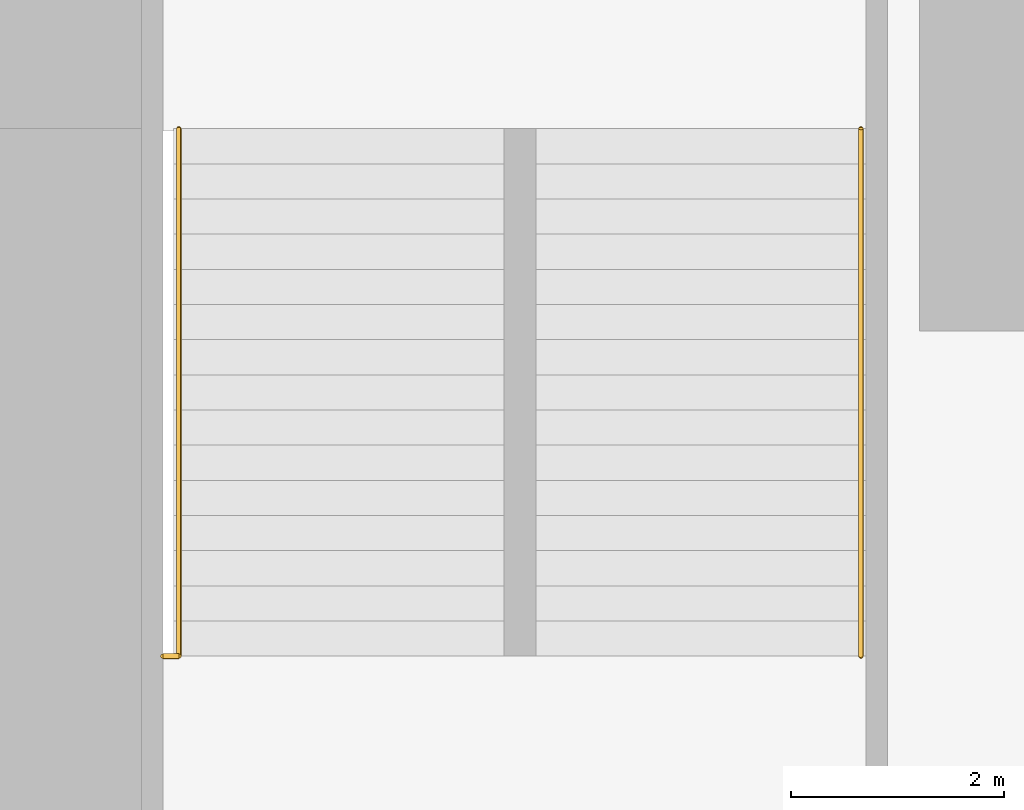
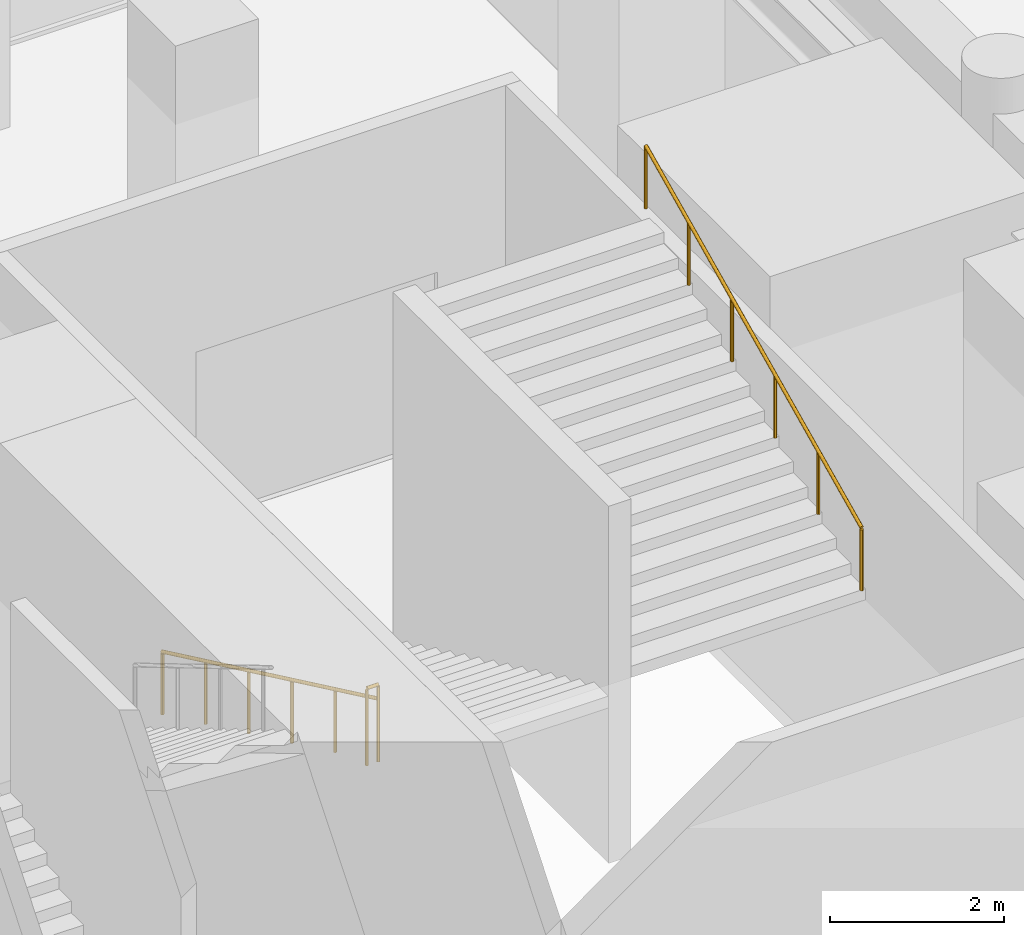
# One storey, part 22 of 23: 3 railings.
"""IFC4 building model written with IfcOpenShell, lengths in metres."""

import ifcopenshell
import ifcopenshell.guid

model = None  # the IFC model being written
_history = None  # IfcOwnerHistory: only IFC2X3 demands one
_inside = {}  # id of a spatial element -> (the spatial element, [elements in it])
_under = {}  # id of a project, library or spatial element -> (it, [spatial elements below it])
_declared = {}  # id of a project -> (the project, [libraries it declares])
_typed = {}  # id of a type object -> (the type object, [elements of that type])
_made_of = {}  # id of a material, layer set ... -> (it, [elements and type objects made of it])


def new_model(schema):
    """Start an empty IFC model of exactly this schema.

    Asked for "IFC4X3", IfcOpenShell would pick the latest addendum, in which some entities
    have other attributes; the version numbers below select the first issue.
    IFC2X3 requires an IfcOwnerHistory on every rooted entity: one is made here for all.
    """
    global model, _history
    if schema == "IFC4X3":
        model = ifcopenshell.file(schema_version=(4, 3, 0, 0))
    else:
        model = ifcopenshell.file(schema=schema)
    _inside.clear()
    _under.clear()
    _declared.clear()
    _typed.clear()
    _made_of.clear()
    _history = None
    if model.schema == "IFC2X3":
        org = make("IfcOrganization", Name="unknown")
        user = make(
            "IfcPersonAndOrganization",
            ThePerson=make("IfcPerson", FamilyName="unknown"),
            TheOrganization=org,
        )
        app = make(
            "IfcApplication",
            ApplicationDeveloper=org,
            Version="unknown",
            ApplicationFullName="unknown",
            ApplicationIdentifier="unknown",
        )
        _history = make(
            "IfcOwnerHistory",
            OwningUser=user,
            OwningApplication=app,
            ChangeAction="ADDED",
            CreationDate=0,
        )
    return model


def make(cls, **values):
    """One entity of the class cls with the attributes given. An attribute that is None is left unset."""
    return model.create_entity(
        cls, **{name: value for name, value in values.items() if value is not None}
    )


def rooted(cls, **values):
    """An entity with a GlobalId (a new one), such as an element, a storey or a relation."""
    return make(cls, GlobalId=ifcopenshell.guid.new(), OwnerHistory=_history, **values)


def si_unit(unit_type, name, prefix=None):
    """IfcSIUnit, for example si_unit("LENGTHUNIT", "METRE", prefix="MILLI")."""
    return make("IfcSIUnit", UnitType=unit_type, Prefix=prefix, Name=name)


def assignment(units):
    """IfcUnitAssignment: the units of a project."""
    return None if units is None else make("IfcUnitAssignment", Units=units)


def point(xyz):
    """IfcCartesianPoint."""
    return None if xyz is None else make("IfcCartesianPoint", Coordinates=xyz)


def direction(xyz):
    """IfcDirection."""
    return None if xyz is None else make("IfcDirection", DirectionRatios=xyz)


def frame(location, z_axis=None, x_axis=None):
    """IfcAxis2Placement3D, a coordinate frame: its origin and axes. An axis left out is left unset."""
    return make(
        "IfcAxis2Placement3D",
        Location=point(location),
        Axis=direction(z_axis),
        RefDirection=direction(x_axis),
    )


def frame_2d(location, x_axis=None):
    """IfcAxis2Placement2D, a coordinate frame in the plane: its origin and x axis."""
    return make(
        "IfcAxis2Placement2D", Location=point(location), RefDirection=direction(x_axis)
    )


def origin():
    """The frame at (0, 0, 0) with its axes left unset."""
    return frame((0.0, 0.0, 0.0))


def origin_2d():
    """The frame at (0, 0) in the plane with its x axis left unset."""
    return frame_2d((0.0, 0.0))


def place(relative_to, where):
    """IfcLocalPlacement: puts the frame where relative to a parent placement (None: the world)."""
    return make(
        "IfcLocalPlacement", PlacementRelTo=relative_to, RelativePlacement=where
    )


def context(
    kind, dimensions, precision=None, world=None, true_north=None, identifier=None
):
    """IfcGeometricRepresentationContext, for example the 3D "Model" context."""
    return make(
        "IfcGeometricRepresentationContext",
        ContextIdentifier=identifier,
        ContextType=kind,
        CoordinateSpaceDimension=dimensions,
        Precision=precision,
        WorldCoordinateSystem=world,
        TrueNorth=true_north,
    )


def subcontext(parent, identifier, kind, view, scale=None):
    """IfcGeometricRepresentationSubContext, for example "Body" below "Model"."""
    return make(
        "IfcGeometricRepresentationSubContext",
        ContextIdentifier=identifier,
        ContextType=kind,
        ParentContext=parent,
        TargetScale=scale,
        TargetView=view,
    )


def project(units=None, contexts=None):
    """IfcProject with its units and contexts."""
    return rooted(
        "IfcProject",
        Name="project",
        RepresentationContexts=contexts,
        UnitsInContext=assignment(units),
    )


def spatial(cls, under=None, at=None, **own):
    """A site, building, storey or space (cls), placed at a placement, below another one or the project."""
    s = rooted(cls, ObjectPlacement=at, **own)
    if under is not None:
        _under.setdefault(under.id(), (under, []))[1].append(s)
    return s


def profile(cls, at=None, kind="AREA", **sizes):
    """A parametric profile (cls). Its sizes go by their IFC names, for example OverallWidth=200.0."""
    return make(cls, ProfileType=kind, Position=at, **sizes)


def circle(**sizes):
    """IfcCircleProfileDef."""
    return profile("IfcCircleProfileDef", **sizes)


def extrude(swept, where, along, depth):
    """IfcExtrudedAreaSolid: the profile swept, set in the frame where, extruded along a direction by depth."""
    return make(
        "IfcExtrudedAreaSolid",
        SweptArea=swept,
        Position=where,
        ExtrudedDirection=direction(along),
        Depth=depth,
    )


def shape(context_of_items, identifier, shape_type, items):
    """IfcShapeRepresentation: the items that make up one representation, for example the "Body"."""
    return make(
        "IfcShapeRepresentation",
        ContextOfItems=context_of_items,
        RepresentationIdentifier=identifier,
        RepresentationType=shape_type,
        Items=items,
    )


def material(Name=None, Category=None):
    """IfcMaterial."""
    return make("IfcMaterial", Name=Name, Category=Category)


def made_of(thing, what):
    """Note that an element or type object is made of a material, layer set ...; save() writes the relation."""
    if what is not None:
        _made_of.setdefault(what.id(), (what, []))[1].append(thing)
    return thing


def type_object(cls, material=None, **own):
    """A type object (cls), such as IfcWallType, which elements share."""
    return made_of(rooted(cls, **own), material)


def element(
    cls,
    number,
    at=None,
    inside=None,
    cuts=None,
    type_object=None,
    material=None,
    context=None,
    identifier="Body",
    shape_type=None,
    held_by="IfcProductDefinitionShape",
    body=None,
    shapes=None,
    **own,
):
    """One element of the class cls, such as IfcWall. Its Tag is "e" and its number.

    at: its placement. inside: the storey or other place that contains it. cuts: it is an
    opening in that element (IfcRelVoidsElement). A single representation is given by context,
    identifier, shape_type and body (its items); several are given by shapes. held_by: the class
    of the entity that holds the representations. save() writes the other relations.
    """
    e = rooted(cls, Tag="e%d" % number, ObjectPlacement=at, **own)
    if body is not None:
        shapes = [shape(context, identifier, shape_type, body)]
    if shapes is not None:
        e.Representation = make(held_by, Representations=shapes)
    if inside is not None:
        _inside.setdefault(inside.id(), (inside, []))[1].append(e)
    if cuts is not None:
        rooted(
            "IfcRelVoidsElement", RelatingBuildingElement=cuts, RelatedOpeningElement=e
        )
    if type_object is not None:
        _typed.setdefault(type_object.id(), (type_object, []))[1].append(e)
    return made_of(e, material)


def aggregate(whole, parts):
    """IfcRelAggregates: a whole, such as a stair, and the parts it consists of."""
    return rooted("IfcRelAggregates", RelatingObject=whole, RelatedObjects=parts)


def save(model, path):
    """Write the relations noted so far, then the file.

    IfcRelAggregates (storeys below a building ...), IfcRelContainedInSpatialStructure (elements
    in a storey), IfcRelDefinesByType, IfcRelAssociatesMaterial and IfcRelDeclares: one each for
    every whole, place, type object, material and project.
    """
    for whole, parts in _under.values():
        aggregate(whole, parts)
    for where, things in _inside.values():
        rooted(
            "IfcRelContainedInSpatialStructure",
            RelatedElements=things,
            RelatingStructure=where,
        )
    for kind, things in _typed.values():
        rooted("IfcRelDefinesByType", RelatedObjects=things, RelatingType=kind)
    for what, things in _made_of.values():
        rooted("IfcRelAssociatesMaterial", RelatedObjects=things, RelatingMaterial=what)
    for by, libraries in _declared.values():
        rooted("IfcRelDeclares", RelatingContext=by, RelatedDefinitions=libraries)
    model.write(path)


model = new_model("IFC4")

# Units and contexts
model_context = context("Model", 3, precision=1e-05, world=origin(), true_north=direction((0.0, 1.0)))
body_context = subcontext(model_context, "Body", "Model", "MODEL_VIEW")
ifc_project = project(units=[si_unit("LENGTHUNIT", "METRE"), si_unit("AREAUNIT", "SQUARE_METRE"), si_unit("VOLUMEUNIT", "CUBIC_METRE"), si_unit("PLANEANGLEUNIT", "RADIAN"), si_unit("MASSUNIT", "GRAM", prefix="KILO")], contexts=[model_context])

# Site, building, storey
site_placement = place(None, origin())
site = spatial("IfcSite", under=ifc_project, at=site_placement, CompositionType="ELEMENT")
building_placement = place(site_placement, origin())
building = spatial("IfcBuilding", under=site, at=building_placement, Name="Svetlomir Tower", CompositionType="ELEMENT")
storey_placement = place(building_placement, frame((0.0, 0.0, 6.0)))
storey = spatial("IfcBuildingStorey", under=building, at=storey_placement, Name="L01", CompositionType="ELEMENT", Elevation=6.0)

# Railings
ifc_material_1 = material(Name="Stainless steel", Category="steel")
railing_type_1 = type_object("IfcRailingType", Name="HANDRAIL HR1 900", PredefinedType="HANDRAIL", material=ifc_material_1)
railing_1_placement = place(storey_placement, frame((31.550048828125, 29.39990234375, 0.15625)))
element("IfcRailing", 1, at=railing_1_placement, inside=storey, type_object=railing_type_1, Name="Handrail P2 flight 1 L01", PredefinedType="HANDRAIL", context=body_context, shape_type="SweptSolid", body=[
    extrude(circle(Radius=0.02392578125, at=origin_2d()), frame((0.0, 0.0, 0.8759765625), z_axis=(0.0, -0.903805903746, 0.427942622736), x_axis=(1.0, 0.0, 0.0)), (0.0, 0.0, 1.0), 5.476806640625),
    extrude(circle(Radius=0.02099609375, at=origin_2d()), origin(), (0.0, 0.0, 1.0), 0.851806640625),
    extrude(circle(Radius=0.02099609375, at=origin_2d()), frame((0.0, -0.989990234375, 0.46875)), (0.0, 0.0, 1.0), 0.851806640625),
    extrude(circle(Radius=0.02099609375, at=origin_2d()), frame((0.0, -1.97998046875, 0.9375)), (0.0, 0.0, 1.0), 0.851806640625),
    extrude(circle(Radius=0.02099609375, at=origin_2d()), frame((0.0, -2.969970703125, 1.40625)), (0.0, 0.0, 1.0), 0.851806640625),
    extrude(circle(Radius=0.02099609375, at=origin_2d()), frame((0.0, -3.9599609375, 1.875)), (0.0, 0.0, 1.0), 0.851806640625),
    extrude(circle(Radius=0.02099609375, at=origin_2d()), frame((0.0, -4.949951171875, 2.34375)), (0.0, 0.0, 1.0), 0.851806640625),
])
railing_2_placement = place(storey_placement, frame((37.949951171875, 24.449951171875, 2.65625)))
element("IfcRailing", 2, at=railing_2_placement, inside=storey, type_object=railing_type_1, Name="Handrail P2 flight 2 L01", PredefinedType="HANDRAIL", context=body_context, shape_type="SweptSolid", body=[
    extrude(circle(Radius=0.02392578125, at=origin_2d()), frame((0.0, 0.0, 0.8759765625), z_axis=(0.0, 0.903805903746, 0.427942622736), x_axis=(-1.0, 0.0, 0.0)), (0.0, 0.0, 1.0), 5.476806640625),
    extrude(circle(Radius=0.02099609375, at=origin_2d()), origin(), (0.0, 0.0, 1.0), 0.851806640625),
    extrude(circle(Radius=0.02099609375, at=origin_2d()), frame((0.0, 0.989990234375, 0.46875)), (0.0, 0.0, 1.0), 0.851806640625),
    extrude(circle(Radius=0.02099609375, at=origin_2d()), frame((0.0, 1.97998046875, 0.9375)), (0.0, 0.0, 1.0), 0.851806640625),
    extrude(circle(Radius=0.02099609375, at=origin_2d()), frame((0.0, 2.969970703125, 1.40625)), (0.0, 0.0, 1.0), 0.851806640625),
    extrude(circle(Radius=0.02099609375, at=origin_2d()), frame((0.0, 3.9599609375, 1.875)), (0.0, 0.0, 1.0), 0.851806640625),
    extrude(circle(Radius=0.02099609375, at=origin_2d()), frame((0.0, 4.949951171875, 2.34375)), (0.0, 0.0, 1.0), 0.851806640625),
])
ifc_material_2 = material(Name="Painted steel balustrade", Category="steel")
railing_type_2 = type_object("IfcRailingType", Name="STAIR WELL GUARD GR3 1100", PredefinedType="GUARDRAIL", material=ifc_material_2)
railing_3_placement = place(storey_placement, frame((31.550048828125, 24.449951171875, 2.5)))
element("IfcRailing", 3, at=railing_3_placement, inside=storey, type_object=railing_type_2, Name="Stair P2 slot guard 1 L01", PredefinedType="GUARDRAIL", context=body_context, shape_type="SweptSolid", body=[
    extrude(circle(Radius=0.02392578125, at=origin_2d()), frame((0.0, 0.0, 1.076171875), z_axis=(-1.0, 0.0, 0.0), x_axis=(0.0, -1.0, 0.0)), (0.0, 0.0, 1.0), 0.150146484375),
    extrude(circle(Radius=0.02099609375, at=origin_2d()), origin(), (0.0, 0.0, 1.0), 1.052001953125),
    extrude(circle(Radius=0.02099609375, at=origin_2d()), frame((-0.150146484375, 0.0, 0.0)), (0.0, 0.0, 1.0), 1.052001953125),
])

save(model, "model.ifc")
